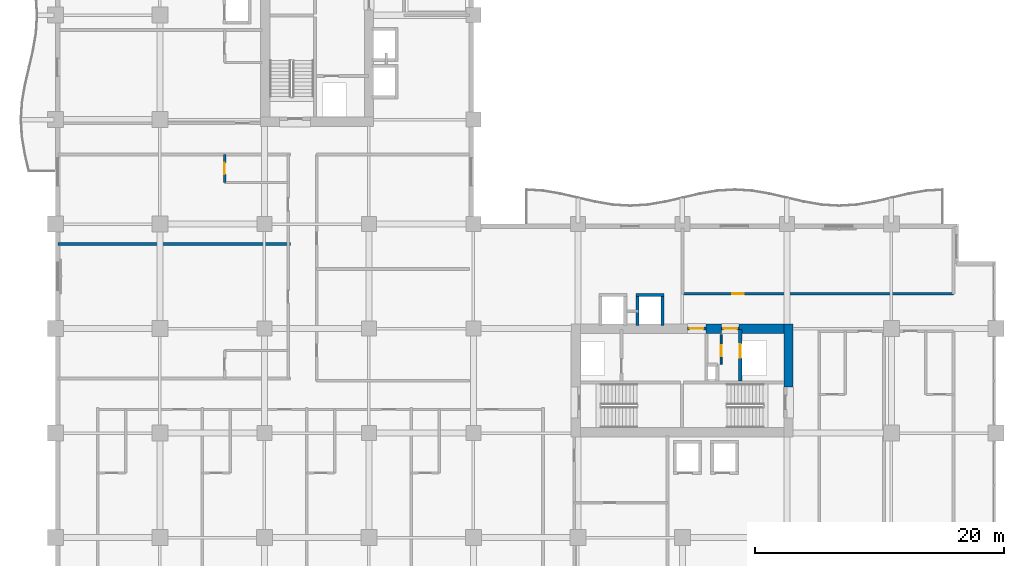
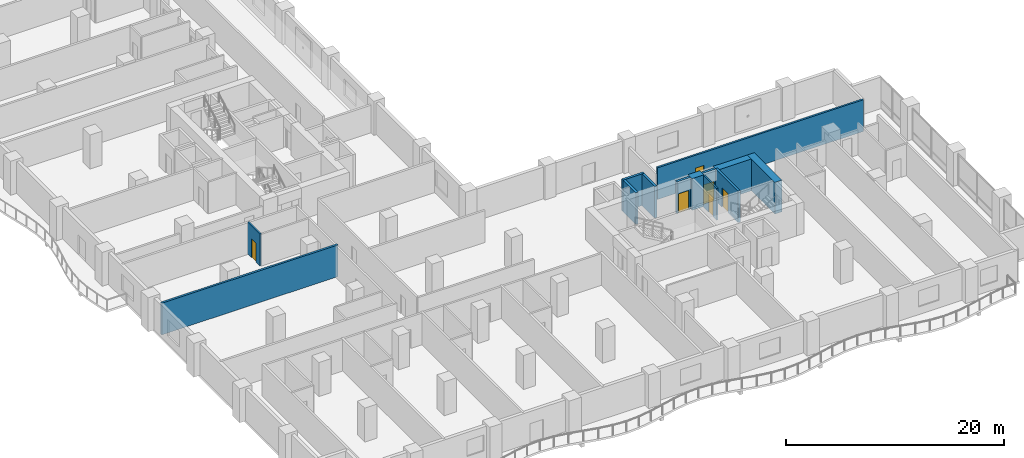
# One storey, part 11 of 24: 13 walls, 6 doors, 6 openings.
"""IFC4 building model written with IfcOpenShell, lengths in metres."""

from ifc_helpers import new_model, si_unit, direction, frame, frame_2d, origin, place, context, subcontext, project, spatial, rectangle, extrude, material, layer, layer_set, type_object, element, fill, save


model = new_model("IFC4")

# Units and contexts
model_context = context("Model", 3, precision=1e-05, world=origin(), true_north=direction((0.0, 1.0)))
body_context = subcontext(model_context, "Body", "Model", "MODEL_VIEW")
ifc_project = project(units=[si_unit("LENGTHUNIT", "METRE"), si_unit("AREAUNIT", "SQUARE_METRE"), si_unit("VOLUMEUNIT", "CUBIC_METRE"), si_unit("PLANEANGLEUNIT", "RADIAN"), si_unit("MASSUNIT", "GRAM", prefix="KILO")], contexts=[model_context])

# Site, building, storey
site_placement = place(None, origin())
site = spatial("IfcSite", under=ifc_project, at=site_placement, CompositionType="ELEMENT")
building_placement = place(site_placement, origin())
building = spatial("IfcBuilding", under=site, at=building_placement, Name="Koriwani Terraces Tower", CompositionType="ELEMENT")
storey_placement = place(building_placement, frame((0.0, 0.0, 103.800048828125)))
storey = spatial("IfcBuildingStorey", under=building, at=storey_placement, Name="L24", CompositionType="ELEMENT", Elevation=103.800048828125)

# Walls
ifc_material_1 = material(Name="Concrete C60/75", Category="concrete")
ifc_layer_1 = layer(ifc_material_1, 0.75, Name="Concrete C60/75")
ifc_layer_set_1 = layer_set([ifc_layer_1], Name="Concrete C60/75")
wall_type_1 = type_object("IfcWallType", Name="WALL_CORE_RC_750", PredefinedType="SHEAR", material=ifc_layer_set_1)
wall_1_placement = place(storey_placement, frame((58.925048828125, 20.5, 0.0), z_axis=(0.0, 0.0, 1.0), x_axis=(0.0, 1.0, 0.0)))
element("IfcWall", 1, at=wall_1_placement, inside=storey, type_object=wall_type_1, Name="L24 East Split Core Shear Wall E2", PredefinedType="SHEAR", context=body_context, shape_type="SweptSolid", body=[
    extrude(rectangle(XDim=5.074951171875, YDim=0.75, at=frame_2d((2.53759765625, 0.0))), origin(), (0.0, 0.0, 1.0), 3.550048828125),
])
wall_2_placement = place(storey_placement, frame((52.280029296875, 25.199951171875, 0.0), z_axis=(0.0, 0.0, 1.0), x_axis=(1.0, 0.0, 0.0)))
element("IfcWall", 2, at=wall_2_placement, inside=storey, type_object=wall_type_1, Name="L24 East Split Core Shear Wall N2", PredefinedType="SHEAR", context=body_context, shape_type="SweptSolid", body=[
    extrude(rectangle(XDim=1.27001953125, YDim=0.75, at=frame_2d((0.635009765625, 0.0))), origin(), (0.0, 0.0, 1.0), 3.550048828125),
])
wall_3_placement = place(storey_placement, frame((54.949951171875, 25.199951171875, 0.0), z_axis=(0.0, 0.0, 1.0), x_axis=(1.0, 0.0, 0.0)))
element("IfcWall", 3, at=wall_3_placement, inside=storey, type_object=wall_type_1, Name="L24 East Split Core Shear Wall N3", PredefinedType="SHEAR", context=body_context, shape_type="SweptSolid", body=[
    extrude(rectangle(XDim=3.60009765625, YDim=0.75, at=frame_2d((1.800048828125, 0.0))), origin(), (0.0, 0.0, 1.0), 3.550048828125),
])

# Wall, opening, door
ifc_material_2 = material(Name="Autoclaved Cellular Concrete Blockwork", Category="masonry")
ifc_layer_2 = layer(ifc_material_2, 0.199951171875, Name="Autoclaved Cellular Concrete Blockwork")
ifc_layer_set_2 = layer_set([ifc_layer_2], Name="Autoclaved Cellular Concrete Blockwork")
wall_type_2 = type_object("IfcWallType", Name="WALL_CORRIDOR_200", PredefinedType="PARTITIONING", material=ifc_layer_set_2)
wall_4_placement = place(storey_placement, frame((50.39990234375, 28.0, 0.0), z_axis=(0.0, 0.0, 1.0), x_axis=(1.0, 0.0, 0.0)))
wall_4 = element("IfcWall", 4, at=wall_4_placement, inside=storey, type_object=wall_type_2, Name="L24 Interior Wall WSEC-S-L24", PredefinedType="PARTITIONING", context=body_context, shape_type="SweptSolid", body=[
    extrude(rectangle(XDim=21.800048828125, YDim=0.199951171875, at=frame_2d((10.89990234375, 0.0))), origin(), (0.0, 0.0, 1.0), 3.550048828125),
])
opening_1_placement = place(wall_4_placement, frame((4.0, 0.0, 0.0)))
opening_1 = element("IfcOpeningElement", 5, at=opening_1_placement, cuts=wall_4, Name="Opening D-06", PredefinedType="OPENING", context=body_context, shape_type="SweptSolid", body=[
    extrude(rectangle(XDim=0.919921875, YDim=2.10009765625, at=frame_2d((0.4599609375, 1.050048828125))), frame((0.0, 0.10986328125, 0.0), z_axis=(0.0, -1.0, 0.0), x_axis=(1.0, 0.0, 0.0)), (0.0, 0.0, 1.0), 0.219970703125),
])
ifc_material_3 = material(Name="Architectural Oak Fire Door", Category="wood")
door_type_1 = type_object("IfcDoorType", Name="DOOR_ROOM_INT_920X2100", OperationType="NOTDEFINED", PredefinedType="DOOR", material=ifc_material_3)
door_1_placement = place(opening_1_placement, origin())
door_1 = element("IfcDoor", 6, at=door_1_placement, inside=storey, type_object=door_type_1, Name="L24 East Court Study Door", OperationType="SINGLE_SWING_LEFT", OverallHeight=2.10009765625, OverallWidth=0.919921875, PredefinedType="DOOR", context=body_context, shape_type="SweptSolid", body=[
    extrude(rectangle(XDim=0.919921875, YDim=2.10009765625, at=frame_2d((0.4599609375, 1.050048828125))), frame((0.0, 0.02490234375, 0.0), z_axis=(0.0, -1.0, 0.0), x_axis=(1.0, 0.0, 0.0)), (0.0, 0.0, 1.0), 0.050048828125),
])
fill(opening_1, door_1)

# Wall
ifc_layer_3 = layer(ifc_material_2, 0.219970703125, Name="Autoclaved Cellular Concrete Blockwork")
ifc_layer_set_3 = layer_set([ifc_layer_3], Name="Autoclaved Cellular Concrete Blockwork")
wall_type_3 = type_object("IfcWallType", Name="WALL_DEMISING_220", PredefinedType="PARTITIONING", material=ifc_layer_set_3)
wall_5_placement = place(storey_placement, frame((0.199951171875, 32.0, 0.0), z_axis=(0.0, 0.0, 1.0), x_axis=(1.0, 0.0, 0.0)))
element("IfcWall", 7, at=wall_5_placement, inside=storey, type_object=wall_type_3, Name="L24 Interior Wall WDEM-L24-NW-1", PredefinedType="PARTITIONING", context=body_context, shape_type="SweptSolid", body=[
    extrude(rectangle(XDim=18.679931640625, YDim=0.219970703125, at=frame_2d((9.33984375, 0.0))), origin(), (0.0, 0.0, 1.0), 3.550048828125),
])

# Wall, opening, door
ifc_material_4 = material(Name="Fire-Rated Acoustic Gypsum Partition", Category="masonry")
ifc_layer_4 = layer(ifc_material_4, 0.179931640625, Name="Fire-Rated Acoustic Gypsum Partition")
ifc_layer_set_4 = layer_set([ifc_layer_4], Name="Fire-Rated Acoustic Gypsum Partition")
wall_type_4 = type_object("IfcWallType", Name="WALL_PLUMBING_180", PredefinedType="PLUMBINGWALL", material=ifc_layer_set_4)
wall_6_placement = place(storey_placement, frame((13.60009765625, 36.949951171875, 0.0), z_axis=(0.0, 0.0, 1.0), x_axis=(0.0, 1.0, 0.0)))
wall_6 = element("IfcWall", 8, at=wall_6_placement, inside=storey, type_object=wall_type_4, Name="L24 Interior Wall WBTH1-L24-NW-1", PredefinedType="PLUMBINGWALL", context=body_context, shape_type="SweptSolid", body=[
    extrude(rectangle(XDim=2.25, YDim=0.179931640625, at=frame_2d((1.125, 0.0))), origin(), (0.0, 0.0, 1.0), 3.550048828125),
])
opening_2_placement = place(wall_6_placement, frame((0.675048828125, 0.0, 0.0)))
opening_2 = element("IfcOpeningElement", 9, at=opening_2_placement, cuts=wall_6, Name="Opening D-07", PredefinedType="OPENING", context=body_context, shape_type="SweptSolid", body=[
    extrude(rectangle(XDim=0.89990234375, YDim=2.10009765625, at=frame_2d((0.449951171875, 1.050048828125))), frame((0.0, 0.10009765625, 0.0), z_axis=(0.0, -1.0, 0.0), x_axis=(1.0, 0.0, 0.0)), (0.0, 0.0, 1.0), 0.199951171875),
])
door_type_2 = type_object("IfcDoorType", Name="DOOR_BATH_INT_900X2100", OperationType="NOTDEFINED", PredefinedType="DOOR", material=ifc_material_3)
door_2_placement = place(opening_2_placement, origin())
door_2 = element("IfcDoor", 10, at=door_2_placement, inside=storey, type_object=door_type_2, Name="En-Suite Bathroom 24NW2 Door", OperationType="SINGLE_SWING_LEFT", OverallHeight=2.10009765625, OverallWidth=0.89990234375, PredefinedType="DOOR", context=body_context, shape_type="SweptSolid", body=[
    extrude(rectangle(XDim=0.89990234375, YDim=2.10009765625, at=frame_2d((0.449951171875, 1.050048828125))), frame((0.0, 0.02490234375, 0.0), z_axis=(0.0, -1.0, 0.0), x_axis=(1.0, 0.0, 0.0)), (0.0, 0.0, 1.0), 0.050048828125),
])
fill(opening_2, door_2)

ifc_material_5 = material(Name="Concrete C40/50", Category="concrete")
ifc_layer_5 = layer(ifc_material_5, 0.25, Name="Concrete C40/50")
ifc_layer_set_5 = layer_set([ifc_layer_5], Name="Concrete C40/50")
wall_type_5 = type_object("IfcWallType", Name="WALL_SHAFT_RATED_250", PredefinedType="SOLIDWALL", material=ifc_layer_set_5)
wall_7_placement = place(storey_placement, frame((50.800048828125, 25.199951171875, 0.0), z_axis=(0.0, 0.0, 1.0), x_axis=(1.0, 0.0, 0.0)))
wall_7 = element("IfcWall", 11, at=wall_7_placement, inside=storey, type_object=wall_type_5, Name="L24 Interior Wall WIN-CE-L24-NP", PredefinedType="SOLIDWALL", context=body_context, shape_type="SweptSolid", body=[
    extrude(rectangle(XDim=1.47998046875, YDim=0.25, at=frame_2d((0.739990234375, 0.0))), origin(), (0.0, 0.0, 1.0), 3.550048828125),
])
opening_3_placement = place(wall_7_placement, frame((0.179931640625, 0.0, 0.0)))
opening_3 = element("IfcOpeningElement", 12, at=opening_3_placement, cuts=wall_7, Name="Opening D-03", PredefinedType="OPENING", context=body_context, shape_type="SweptSolid", body=[
    extrude(rectangle(XDim=1.10009765625, YDim=2.14990234375, at=frame_2d((0.550048828125, 1.074951171875))), frame((0.0, 0.135009765625, 0.0), z_axis=(0.0, -1.0, 0.0), x_axis=(1.0, 0.0, 0.0)), (0.0, 0.0, 1.0), 0.27001953125),
])
ifc_material_6 = material(Name="Steel ASTM A572 Grade 50", Category="steel")
door_type_3 = type_object("IfcDoorType", Name="DOOR_STAIR_FIRE_1100X2150", OperationType="NOTDEFINED", PredefinedType="DOOR", material=ifc_material_6)
door_3_placement = place(opening_3_placement, origin())
door_3 = element("IfcDoor", 13, at=door_3_placement, inside=storey, type_object=door_type_3, Name="L24 East Firefighting Lobby Door", OperationType="SINGLE_SWING_LEFT", OverallHeight=2.14990234375, OverallWidth=1.10009765625, PredefinedType="DOOR", context=body_context, shape_type="SweptSolid", body=[
    extrude(rectangle(XDim=1.10009765625, YDim=2.14990234375, at=frame_2d((0.550048828125, 1.074951171875))), frame((0.0, 0.02490234375, 0.0), z_axis=(0.0, -1.0, 0.0), x_axis=(1.0, 0.0, 0.0)), (0.0, 0.0, 1.0), 0.050048828125),
])
fill(opening_3, door_3)

wall_8_placement = place(storey_placement, frame((55.050048828125, 21.0, 0.0), z_axis=(0.0, 0.0, 1.0), x_axis=(0.0, 1.0, 0.0)))
wall_8 = element("IfcWall", 14, at=wall_8_placement, inside=storey, type_object=wall_type_5, Name="L24 Interior Wall WIN-CE-L24-SE", PredefinedType="SOLIDWALL", context=body_context, shape_type="SweptSolid", body=[
    extrude(rectangle(XDim=4.14990234375, YDim=0.25, at=frame_2d((2.074951171875, 0.0))), origin(), (0.0, 0.0, 1.0), 3.550048828125),
])
opening_4_placement = place(wall_8_placement, frame((1.85009765625, 0.0, 0.0)))
opening_4 = element("IfcOpeningElement", 15, at=opening_4_placement, cuts=wall_8, Name="Opening LD-01", PredefinedType="OPENING", context=body_context, shape_type="SweptSolid", body=[
    extrude(rectangle(XDim=1.10009765625, YDim=2.14990234375, at=frame_2d((0.550048828125, 1.074951171875))), frame((0.0, 0.135009765625, 0.0), z_axis=(0.0, -1.0, 0.0), x_axis=(1.0, 0.0, 0.0)), (0.0, 0.0, 1.0), 0.27001953125),
])
door_type_4 = type_object("IfcDoorType", Name="DOOR_LIFT_LANDING_1100X2200", OperationType="NOTDEFINED", PredefinedType="DOOR", material=ifc_material_6)
door_4_placement = place(opening_4_placement, origin())
door_4 = element("IfcDoor", 16, at=door_4_placement, inside=storey, type_object=door_type_4, Name="L24 Goods Lift SE-02 Landing Door", OperationType="SLIDING_TO_LEFT", OverallHeight=2.14990234375, OverallWidth=1.10009765625, PredefinedType="DOOR", context=body_context, shape_type="SweptSolid", body=[
    extrude(rectangle(XDim=1.10009765625, YDim=2.14990234375, at=frame_2d((0.550048828125, 1.074951171875))), frame((0.0, 0.02490234375, 0.0), z_axis=(0.0, -1.0, 0.0), x_axis=(1.0, 0.0, 0.0)), (0.0, 0.0, 1.0), 0.050048828125),
])
fill(opening_4, door_4)

wall_9_placement = place(storey_placement, frame((53.550048828125, 25.199951171875, 0.0), z_axis=(0.0, 0.0, 1.0), x_axis=(1.0, 0.0, 0.0)))
wall_9 = element("IfcWall", 17, at=wall_9_placement, inside=storey, type_object=wall_type_5, Name="L24 Interior Wall WIN-CE-L24-NP2", PredefinedType="SOLIDWALL", context=body_context, shape_type="SweptSolid", body=[
    extrude(rectangle(XDim=1.39990234375, YDim=0.25, at=frame_2d((0.699951171875, 0.0))), origin(), (0.0, 0.0, 1.0), 3.550048828125),
])
opening_5_placement = place(wall_9_placement, frame((0.14990234375, 0.0, 0.0)))
opening_5 = element("IfcOpeningElement", 18, at=opening_5_placement, cuts=wall_9, Name="Opening D-03", PredefinedType="OPENING", context=body_context, shape_type="SweptSolid", body=[
    extrude(rectangle(XDim=1.10009765625, YDim=2.14990234375, at=frame_2d((0.550048828125, 1.074951171875))), frame((0.0, 0.135009765625, 0.0), z_axis=(0.0, -1.0, 0.0), x_axis=(1.0, 0.0, 0.0)), (0.0, 0.0, 1.0), 0.27001953125),
])
door_5_placement = place(opening_5_placement, origin())
door_5 = element("IfcDoor", 19, at=door_5_placement, inside=storey, type_object=door_type_3, Name="L24 East Goods Lift Lobby Door", OperationType="SINGLE_SWING_RIGHT", OverallHeight=2.14990234375, OverallWidth=1.10009765625, PredefinedType="DOOR", context=body_context, shape_type="SweptSolid", body=[
    extrude(rectangle(XDim=1.10009765625, YDim=2.14990234375, at=frame_2d((0.550048828125, 1.074951171875))), frame((0.0, 0.02490234375, 0.0), z_axis=(0.0, -1.0, 0.0), x_axis=(1.0, 0.0, 0.0)), (0.0, 0.0, 1.0), 0.050048828125),
])
fill(opening_5, door_5)

# Walls
wall_10_placement = place(storey_placement, frame((46.675048828125, 27.89990234375, 0.0), z_axis=(0.0, 0.0, 1.0), x_axis=(1.0, 0.0, 0.0)))
element("IfcWall", 20, at=wall_10_placement, inside=storey, type_object=wall_type_5, Name="L24 Interior Wall WIN-LF-PE-H4-L24-F", PredefinedType="SOLIDWALL", context=body_context, shape_type="SweptSolid", body=[
    extrude(rectangle(XDim=2.25, YDim=0.25, at=frame_2d((1.125, 0.0))), origin(), (0.0, 0.0, 1.0), 3.550048828125),
])
for number, where, z_axis, x_axis, name in (
    (21, (46.800048828125, 25.449951171875, 0.0), (0.0, 0.0, 1.0), (0.0, 1.0, 0.0), "L24 Interior Wall WIN-LF-PE-H4-L24-W"),
    (22, (48.800048828125, 25.449951171875, 0.0), (0.0, 0.0, 1.0), (0.0, 1.0, 0.0), "L24 Interior Wall WIN-LF-PE-H4-L24-E"),
):
    element("IfcWall", number, at=place(storey_placement, frame(where, z_axis=z_axis, x_axis=x_axis)), inside=storey, type_object=wall_type_5, Name=name, PredefinedType="SOLIDWALL", context=body_context, shape_type="SweptSolid", body=[
        extrude(rectangle(XDim=2.324951171875, YDim=0.25, at=frame_2d((1.16259765625, 0.0))), origin(), (0.0, 0.0, 1.0), 3.550048828125),
    ])

# Wall, opening, door
ifc_layer_6 = layer(ifc_material_4, 0.159912109375, Name="Fire-Rated Acoustic Gypsum Partition")
ifc_layer_set_6 = layer_set([ifc_layer_6], Name="Fire-Rated Acoustic Gypsum Partition")
wall_type_6 = type_object("IfcWallType", Name="WALL_SUITE_160", PredefinedType="PARTITIONING", material=ifc_layer_set_6)
wall_11_placement = place(storey_placement, frame((53.52001953125, 22.320068359375, 0.0), z_axis=(0.0, 0.0, 1.0), x_axis=(0.0, 1.0, 0.0)))
wall_11 = element("IfcWall", 23, at=wall_11_placement, inside=storey, type_object=wall_type_6, Name="L24 Interior Wall WIN-CE-L24-SV0", PredefinedType="PARTITIONING", context=body_context, shape_type="SweptSolid", body=[
    extrude(rectangle(XDim=2.39990234375, YDim=0.159912109375, at=frame_2d((1.199951171875, 0.0))), origin(), (0.0, 0.0, 1.0), 3.550048828125),
])
opening_6_placement = place(wall_11_placement, frame((0.64990234375, 0.0, 0.0)))
opening_6 = element("IfcOpeningElement", 24, at=opening_6_placement, cuts=wall_11, Name="Opening D-07", PredefinedType="OPENING", context=body_context, shape_type="SweptSolid", body=[
    extrude(rectangle(XDim=0.89990234375, YDim=2.10009765625, at=frame_2d((0.449951171875, 1.050048828125))), frame((0.0, 0.08984375, 0.0), z_axis=(0.0, -1.0, 0.0), x_axis=(1.0, 0.0, 0.0)), (0.0, 0.0, 1.0), 0.179931640625),
])
door_6_placement = place(opening_6_placement, origin())
door_6 = element("IfcDoor", 25, at=door_6_placement, inside=storey, type_object=door_type_2, Name="L24 East Electrical Switch Room Door", OperationType="SINGLE_SWING_LEFT", OverallHeight=2.10009765625, OverallWidth=0.89990234375, PredefinedType="DOOR", context=body_context, shape_type="SweptSolid", body=[
    extrude(rectangle(XDim=0.89990234375, YDim=2.10009765625, at=frame_2d((0.449951171875, 1.050048828125))), frame((0.0, 0.02490234375, 0.0), z_axis=(0.0, -1.0, 0.0), x_axis=(1.0, 0.0, 0.0)), (0.0, 0.0, 1.0), 0.050048828125),
])
fill(opening_6, door_6)

save(model, "model.ifc")
